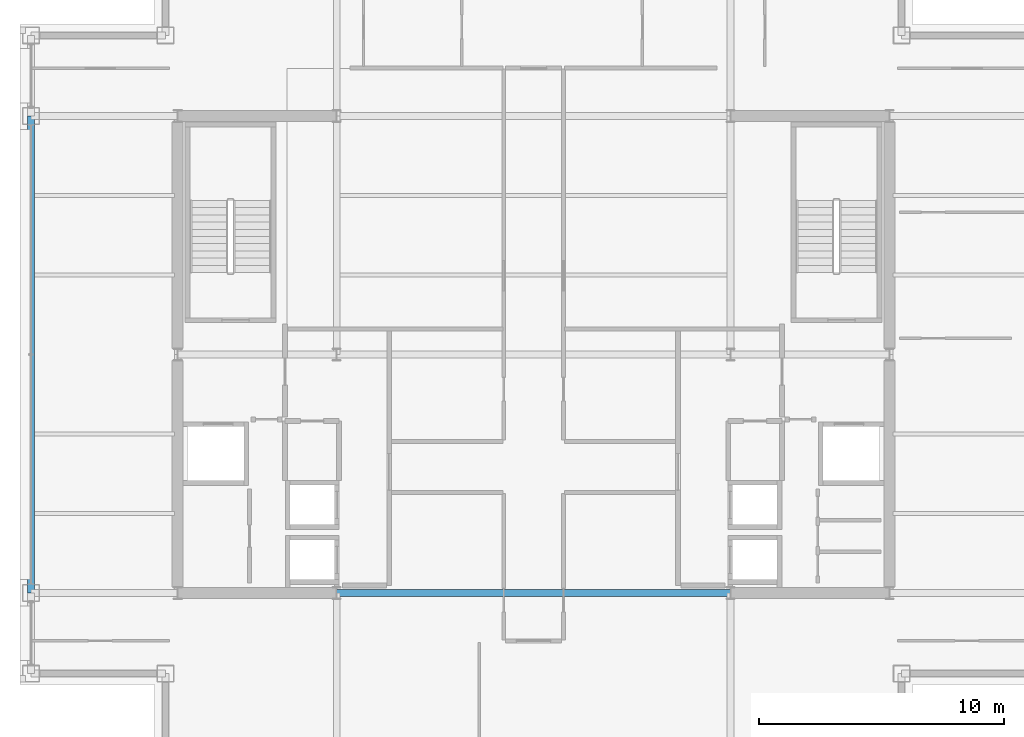
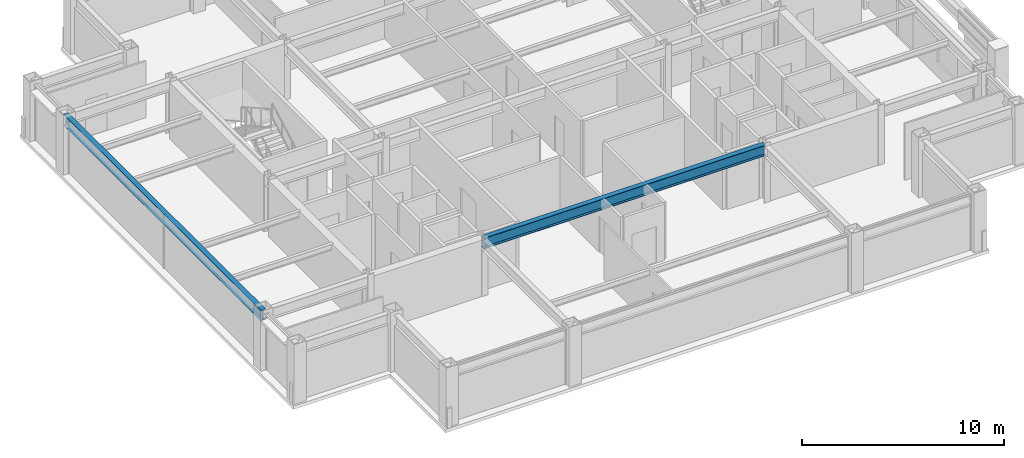
# One storey, part 7 of 29: 2 beams.
"""IFC4 building model written with IfcOpenShell, lengths in metres."""

from ifc_helpers import new_model, si_unit, direction, frame, origin, origin_2d, place, context, subcontext, project, spatial, i_section, extrude, material, material_profile, profile_set, type_object, element, save


model = new_model("IFC4")

# Units and contexts
model_context = context("Model", 3, precision=1e-05, world=origin(), true_north=direction((0.0, 1.0)))
body_context = subcontext(model_context, "Body", "Model", "MODEL_VIEW")
ifc_project = project(units=[si_unit("LENGTHUNIT", "METRE"), si_unit("AREAUNIT", "SQUARE_METRE"), si_unit("VOLUMEUNIT", "CUBIC_METRE"), si_unit("PLANEANGLEUNIT", "RADIAN"), si_unit("MASSUNIT", "GRAM", prefix="KILO")], contexts=[model_context])

# Site, building, storey
site_placement = place(None, origin())
site = spatial("IfcSite", under=ifc_project, at=site_placement, CompositionType="ELEMENT")
building_placement = place(site_placement, origin())
building = spatial("IfcBuilding", under=site, at=building_placement, Name="Brelmoor Portico Tower", CompositionType="ELEMENT")
storey_placement = place(building_placement, frame((0.0, 0.0, 201.89990234375)))
storey = spatial("IfcBuildingStorey", under=building, at=storey_placement, Name="L53", CompositionType="ELEMENT", Elevation=201.89990234375)

# Beams
ifc_material = material(Name="Steel Q355B", Category="steel")
ifc_material_profile_1 = material_profile(ifc_material, i_section(OverallWidth=0.280029296875, OverallDepth=0.64990234375, WebThickness=0.012939453125, FlangeThickness=0.02197265625, at=origin_2d()), Name="HN 650x280x13x22")
ifc_profile_set_1 = profile_set([ifc_material_profile_1], Name="Steel Q355B")
beam_type_1 = type_object("IfcBeamType", Name="BM-PG-650", PredefinedType="BEAM", material=ifc_profile_set_1)
beam_1_placement = place(storey_placement, frame((-8.050048828125, -9.75, 3.0751953125), z_axis=(1.0, 0.0, 0.0), x_axis=(0.0, 1.0, 0.0)))
element("IfcBeam", 1, at=beam_1_placement, inside=storey, type_object=beam_type_1, Name="L53 Primary Floor Girder PG-13", PredefinedType="BEAM", context=body_context, shape_type="SweptSolid", body=[
    extrude(i_section(OverallWidth=0.280029296875, OverallDepth=0.64990234375, WebThickness=0.012939453125, FlangeThickness=0.02197265625, at=origin_2d()), origin(), (0.0, 0.0, 1.0), 16.10009765625),
])
ifc_material_profile_2 = material_profile(ifc_material, i_section(OverallWidth=0.280029296875, OverallDepth=0.64990234375, WebThickness=0.012939453125, FlangeThickness=0.02197265625, at=origin_2d()), Name="HN 650x280x13x22")
ifc_profile_set_2 = profile_set([ifc_material_profile_2], Name="Steel Q355B")
beam_type_2 = type_object("IfcBeamType", Name="BM-SP-650", PredefinedType="SPANDREL", material=ifc_profile_set_2)
beam_2_placement = place(storey_placement, frame((-20.550048828125, -9.75, 3.0751953125), z_axis=(0.0, 1.0, 0.0), x_axis=(-1.0, 0.0, 0.0)))
element("IfcBeam", 2, at=beam_2_placement, inside=storey, type_object=beam_type_2, Name="L53 Perimeter Spandrel Beam SP-12", PredefinedType="SPANDREL", context=body_context, shape_type="SweptSolid", body=[
    extrude(i_section(OverallWidth=0.280029296875, OverallDepth=0.64990234375, WebThickness=0.012939453125, FlangeThickness=0.02197265625, at=origin_2d()), origin(), (0.0, 0.0, 1.0), 19.5),
])

save(model, "model.ifc")
